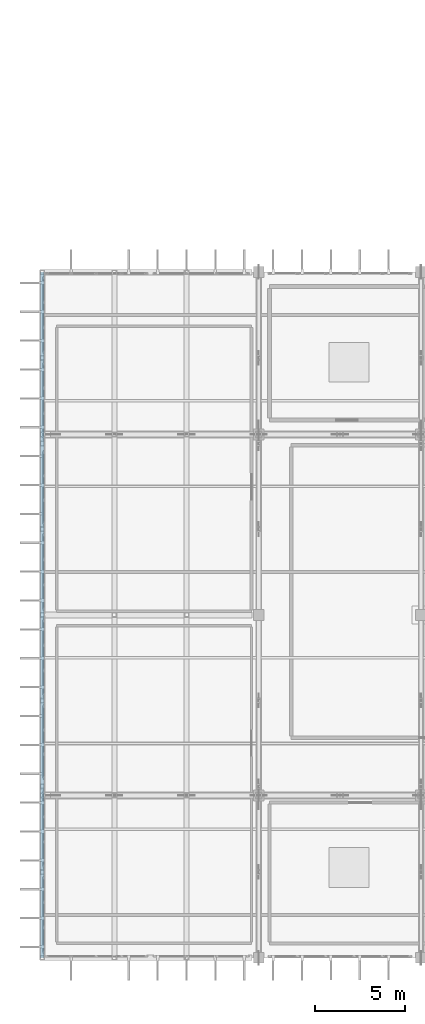
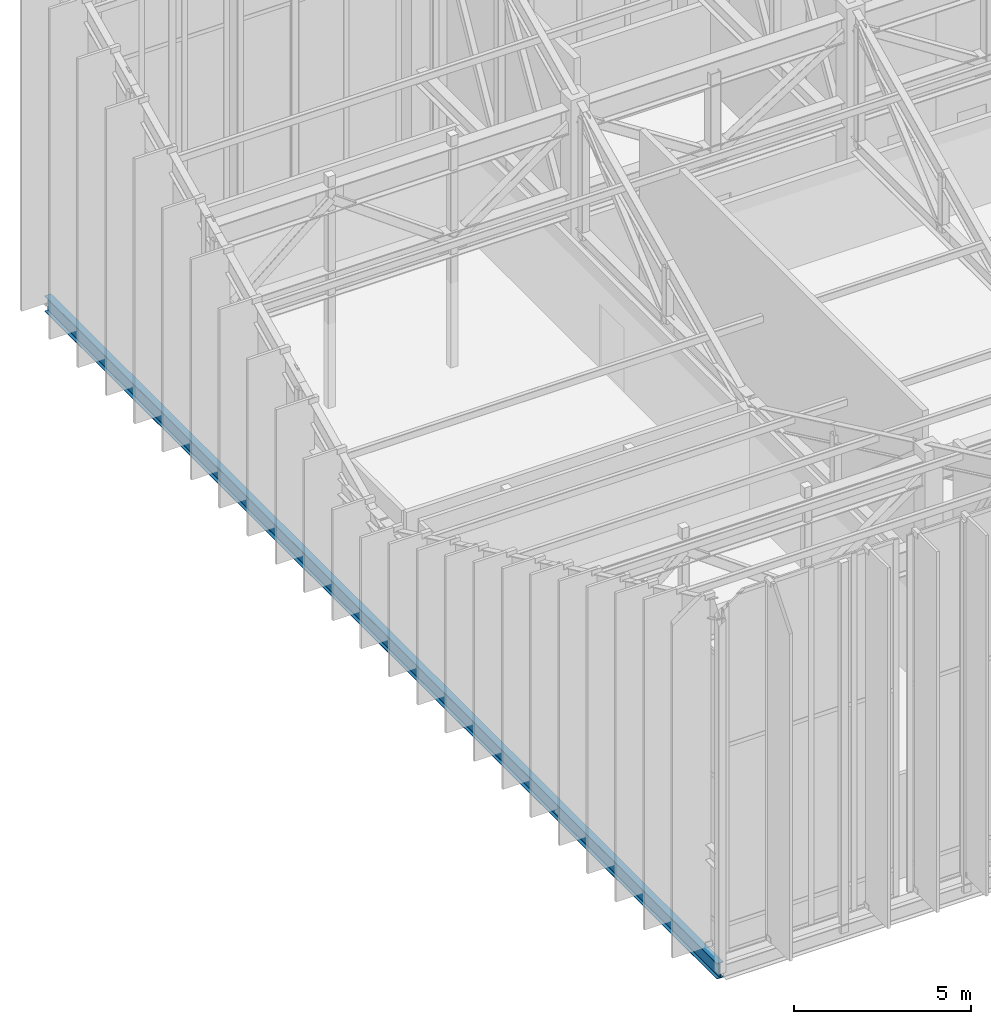
# One storey, part 17 of 68: 1 beam.
"""IFC4 building model written with IfcOpenShell, lengths in metres."""

from ifc_helpers import new_model, si_unit, direction, frame, origin, origin_2d, place, context, subcontext, project, spatial, i_section, extrude, material, material_profile, profile_set, type_object, element, save


model = new_model("IFC4")

# Units and contexts
model_context = context("Model", 3, precision=1e-05, world=origin(), true_north=direction((0.0, 1.0)))
body_context = subcontext(model_context, "Body", "Model", "MODEL_VIEW")
ifc_project = project(units=[si_unit("LENGTHUNIT", "METRE"), si_unit("AREAUNIT", "SQUARE_METRE"), si_unit("VOLUMEUNIT", "CUBIC_METRE"), si_unit("PLANEANGLEUNIT", "RADIAN"), si_unit("MASSUNIT", "GRAM", prefix="KILO")], contexts=[model_context])

# Site, building, storey
site_placement = place(None, origin())
site = spatial("IfcSite", under=ifc_project, at=site_placement, CompositionType="ELEMENT")
building_placement = place(site_placement, origin())
building = spatial("IfcBuilding", under=site, at=building_placement, Name="Miravela Opera House", CompositionType="ELEMENT")
storey_placement = place(building_placement, frame((0.0, 0.0, 21.760009765625)))
storey = spatial("IfcBuildingStorey", under=building, at=storey_placement, Name="L05", CompositionType="ELEMENT", Elevation=21.760009765625)

# Beam
ifc_material = material(Name="Structural steel ASTM A992 Gr. 50", Category="steel")
ifc_material_profile = material_profile(ifc_material, i_section(OverallWidth=0.2109375, OverallDepth=0.5390625, WebThickness=0.01171875, FlangeThickness=0.018798828125, FilletRadius=0.01611328125, at=origin_2d()), Name="W530X109")
ifc_profile_set = profile_set([ifc_material_profile])
beam_type = type_object("IfcBeamType", Name="STR-BM-W530X109", PredefinedType="SPANDREL", material=ifc_profile_set)
beam_placement = place(storey_placement, frame((15.0, 37.0, -0.509521484375), z_axis=(0.0, 1.0, 0.0), x_axis=(-1.0, 0.0, 0.0)))
element("IfcBeam", 1, at=beam_placement, inside=storey, type_object=beam_type, Name="Cantilever Overhang Fascia Spandrel L05 X=15", PredefinedType="SPANDREL", context=body_context, shape_type="SweptSolid", body=[
    extrude(i_section(OverallWidth=0.2109375, OverallDepth=0.5390625, WebThickness=0.01171875, FlangeThickness=0.018798828125, FilletRadius=0.01611328125, at=origin_2d()), origin(), (0.0, 0.0, 1.0), 38.0),
])

save(model, "model.ifc")
